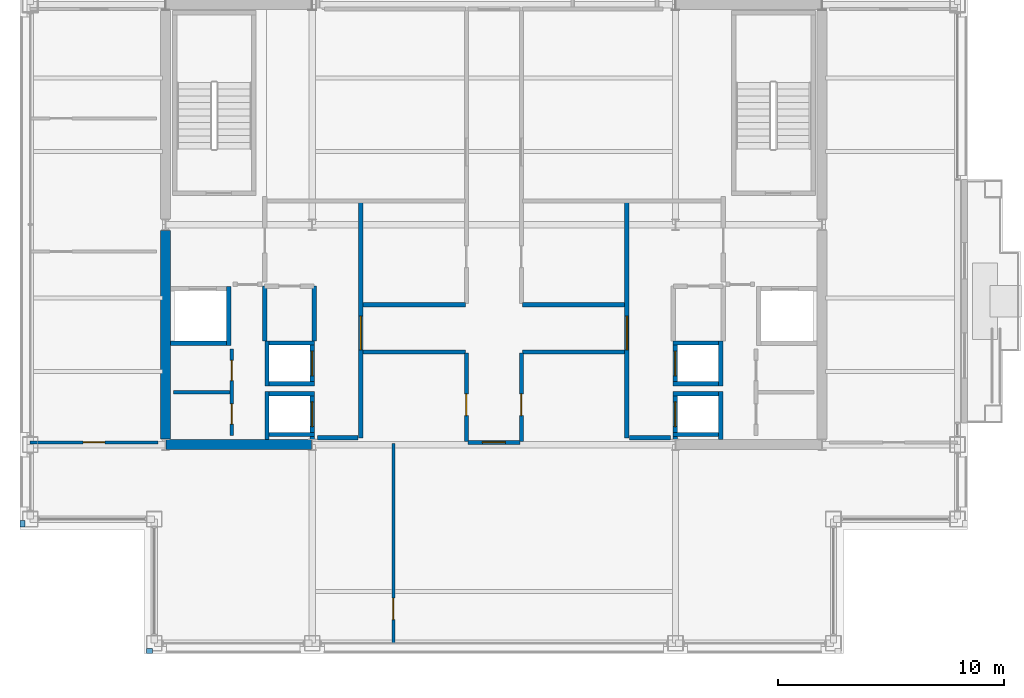
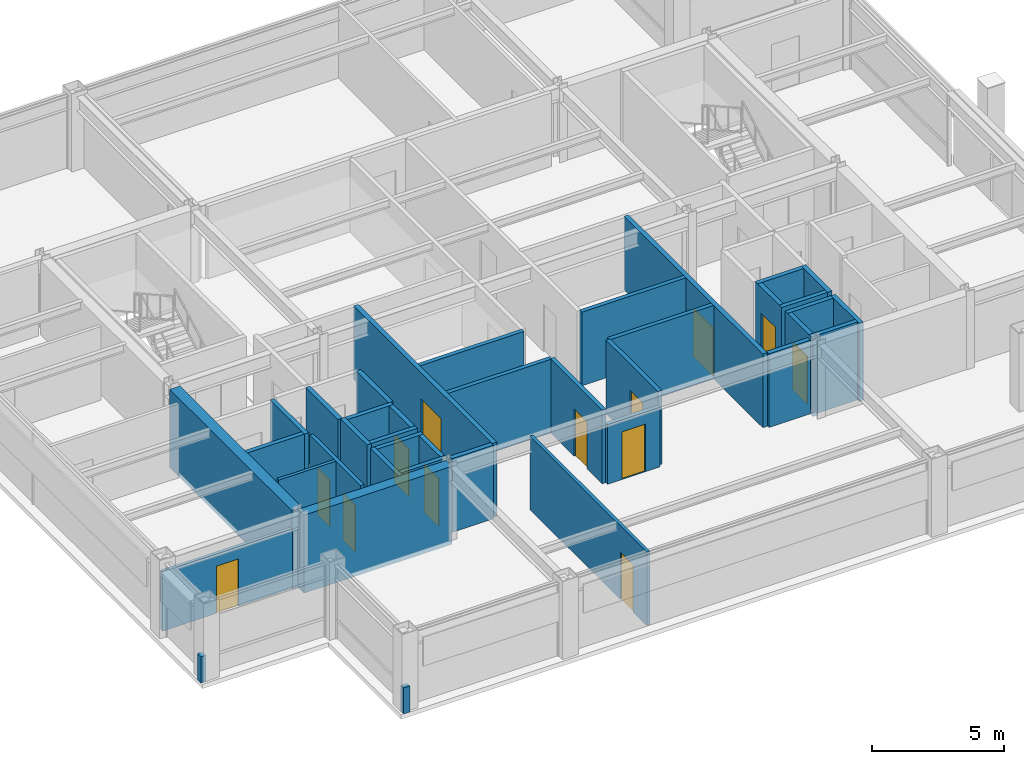
# One storey, part 24 of 28: 39 walls, 13 doors, 13 openings.
"""IFC4 building model written with IfcOpenShell, lengths in metres."""

from ifc_helpers import new_model, si_unit, direction, frame, frame_2d, origin, place, context, subcontext, project, spatial, rectangle, extrude, material, layer, layer_set, type_object, element, fill, save


model = new_model("IFC4")

# Units and contexts
model_context = context("Model", 3, precision=1e-05, world=origin(), true_north=direction((0.0, 1.0)))
body_context = subcontext(model_context, "Body", "Model", "MODEL_VIEW")
ifc_project = project(units=[si_unit("LENGTHUNIT", "METRE"), si_unit("AREAUNIT", "SQUARE_METRE"), si_unit("VOLUMEUNIT", "CUBIC_METRE"), si_unit("PLANEANGLEUNIT", "RADIAN"), si_unit("MASSUNIT", "GRAM", prefix="KILO")], contexts=[model_context])

# Site, building, storey
site_placement = place(None, origin())
site = spatial("IfcSite", under=ifc_project, at=site_placement, CompositionType="ELEMENT")
building_placement = place(site_placement, origin())
building = spatial("IfcBuilding", under=site, at=building_placement, Name="Brelmoor Portico Tower", CompositionType="ELEMENT")
storey_placement = place(building_placement, frame((0.0, 0.0, 191.10009765625)))
storey = spatial("IfcBuildingStorey", under=building, at=storey_placement, Name="L50", CompositionType="ELEMENT", Elevation=191.10009765625)

# Walls
ifc_material_1 = material(Name="Concrete C50", Category="concrete")
ifc_layer_1 = layer(ifc_material_1, 0.449951171875)
ifc_layer_set_1 = layer_set([ifc_layer_1], Name="Concrete C50")
wall_type_1 = type_object("IfcWallType", Name="WL-CORE-450", PredefinedType="SHEAR", material=ifc_layer_set_1)
wall_1_placement = place(storey_placement, frame((-14.530029296875, -9.75, -0.2001953125), z_axis=(0.0, 0.0, 1.0), x_axis=(1.0, 0.0, 0.0)))
element("IfcWall", 1, at=wall_1_placement, inside=storey, type_object=wall_type_1, Name="L50 WC South Shear Wall", PredefinedType="SHEAR", context=body_context, shape_type="SweptSolid", body=[
    extrude(rectangle(XDim=6.4599609375, YDim=0.449951171875, at=frame_2d((3.22998046875, 0.0))), origin(), (0.0, 0.0, 1.0), 3.60009765625),
])
wall_2_placement = place(storey_placement, frame((-14.550048828125, -9.5, -0.2001953125), z_axis=(0.0, 0.0, 1.0), x_axis=(0.0, 1.0, 0.0)))
element("IfcWall", 2, at=wall_2_placement, inside=storey, type_object=wall_type_1, Name="L50 WC Outer South Shear Wall", PredefinedType="SHEAR", context=body_context, shape_type="SweptSolid", body=[
    extrude(rectangle(XDim=9.25, YDim=0.449951171875, at=frame_2d((4.625, 0.0))), origin(), (0.0, 0.0, 1.0), 3.60009765625),
])
ifc_material_2 = material(Name="Concrete C40 Parapet Upstand", Category="concrete")
ifc_layer_2 = layer(ifc_material_2, 0.219970703125)
ifc_layer_set_2 = layer_set([ifc_layer_2], Name="Concrete C40 Parapet Upstand")
wall_type_2 = type_object("IfcWallType", Name="WL-PARAPET-220", PredefinedType="PARAPET", material=ifc_layer_set_2)
for number, where, z_axis, x_axis, name in (
    (3, (-15.389892578125, -18.889892578125, 0.0), (0.0, 0.0, 1.0), (1.0, 0.0, 0.0), "L50 Chamfer Vertex Parapet Pier SW1"),
    (4, (-20.889892578125, -13.389892578125, 0.0), (0.0, 0.0, 1.0), (0.0, 1.0, 0.0), "L50 Chamfer Vertex Parapet Pier SW2"),
):
    element("IfcWall", number, at=place(storey_placement, frame(where, z_axis=z_axis, x_axis=x_axis)), inside=storey, type_object=wall_type_2, Name=name, PredefinedType="PARAPET", context=body_context, shape_type="SweptSolid", body=[
        extrude(rectangle(XDim=0.269775390625, YDim=0.219970703125, at=frame_2d((0.134765625, 0.0))), origin(), (0.0, 0.0, 1.0), 1.199951171875),
    ])
ifc_material_3 = material(Name="Insulated Stud Suite Partition", Category="gypsum")
ifc_layer_3 = layer(ifc_material_3, 0.139892578125)
ifc_layer_set_3 = layer_set([ifc_layer_3], Name="Insulated Stud Suite Partition")
wall_type_3 = type_object("IfcWallType", Name="WL-PART-140", PredefinedType="PARTITIONING", material=ifc_layer_set_3)
wall_3_placement = place(storey_placement, frame((-11.699951171875, -7.425048828125, 0.0), z_axis=(0.0, 0.0, 1.0), x_axis=(-1.0, 0.0, 0.0)))
element("IfcWall", 5, at=wall_3_placement, inside=storey, type_object=wall_type_3, Name="L50 W Core WC Divider 1", PredefinedType="PARTITIONING", context=body_context, shape_type="SweptSolid", body=[
    extrude(rectangle(XDim=2.5, YDim=0.139892578125, at=frame_2d((1.25, 0.0))), origin(), (0.0, 0.0, 1.0), 3.39990234375),
])

# Wall, opening, door
wall_4_placement = place(storey_placement, frame((-4.451171875, -18.56005859375, 0.0), z_axis=(0.0, 0.0, 1.0), x_axis=(0.0, 1.0, 0.0)))
wall_4 = element("IfcWall", 6, at=wall_4_placement, inside=storey, type_object=wall_type_3, Name="L50 South Suite Partition 1", PredefinedType="PARTITIONING", context=body_context, shape_type="SweptSolid", body=[
    extrude(rectangle(XDim=8.85009765625, YDim=0.139892578125, at=frame_2d((4.425048828125, 0.0))), origin(), (0.0, 0.0, 1.0), 3.39990234375),
])
opening_1_placement = place(wall_4_placement, frame((1.050048828125, 0.0, 0.0)))
opening_1 = element("IfcOpeningElement", 7, at=opening_1_placement, cuts=wall_4, Name="Opening D-IN2", PredefinedType="OPENING", context=body_context, shape_type="SweptSolid", body=[
    extrude(rectangle(XDim=0.9599609375, YDim=2.179931640625, at=frame_2d((0.47998046875, 1.08984375))), frame((0.0, 0.079833984375, 0.0), z_axis=(0.0, -1.0, 0.0), x_axis=(1.0, 0.0, 0.0)), (0.0, 0.0, 1.0), 0.159912109375),
])
ifc_material_4 = material(Name="Lacquered Timber Suite Door", Category="wood")
door_type_1 = type_object("IfcDoorType", Name="DR-INT-950", OperationType="NOTDEFINED", PredefinedType="DOOR", material=ifc_material_4)
door_1_placement = place(opening_1_placement, origin())
door_1 = element("IfcDoor", 8, at=door_1_placement, inside=storey, type_object=door_type_1, Name="D-2127 L50 South Suite Connecting Door 1", OperationType="SINGLE_SWING_LEFT", OverallHeight=2.179931640625, OverallWidth=0.9599609375, PredefinedType="DOOR", context=body_context, shape_type="SweptSolid", body=[
    extrude(rectangle(XDim=0.9599609375, YDim=2.179931640625, at=frame_2d((0.47998046875, 1.08984375))), frame((0.0, 0.02490234375, 0.0), z_axis=(0.0, -1.0, 0.0), x_axis=(1.0, 0.0, 0.0)), (0.0, 0.0, 1.0), 0.050048828125),
])
fill(opening_1, door_1)

wall_5_placement = place(storey_placement, frame((-20.56005859375, -9.64990234375, 0.0), z_axis=(0.0, 0.0, 1.0), x_axis=(1.0, 0.0, 0.0)))
wall_5 = element("IfcWall", 9, at=wall_5_placement, inside=storey, type_object=wall_type_3, Name="L50 South Wing Closure WL", PredefinedType="PARTITIONING", context=body_context, shape_type="SweptSolid", body=[
    extrude(rectangle(XDim=5.68017578125, YDim=0.139892578125, at=frame_2d((2.840087890625, 0.0))), origin(), (0.0, 0.0, 1.0), 2.75),
])
opening_2_placement = place(wall_5_placement, frame((2.360107421875, 0.0, 0.0)))
opening_2 = element("IfcOpeningElement", 10, at=opening_2_placement, cuts=wall_5, Name="Opening D-IN2", PredefinedType="OPENING", context=body_context, shape_type="SweptSolid", body=[
    extrude(rectangle(XDim=0.9599609375, YDim=2.179931640625, at=frame_2d((0.47998046875, 1.08984375))), frame((0.0, 0.079833984375, 0.0), z_axis=(0.0, -1.0, 0.0), x_axis=(1.0, 0.0, 0.0)), (0.0, 0.0, 1.0), 0.159912109375),
])
door_2_placement = place(opening_2_placement, origin())
door_2 = element("IfcDoor", 11, at=door_2_placement, inside=storey, type_object=door_type_1, Name="D-2131 L50 WL Wing South Suite Door", OperationType="SINGLE_SWING_LEFT", OverallHeight=2.179931640625, OverallWidth=0.9599609375, PredefinedType="DOOR", context=body_context, shape_type="SweptSolid", body=[
    extrude(rectangle(XDim=0.9599609375, YDim=2.179931640625, at=frame_2d((0.47998046875, 1.08984375))), frame((0.0, 0.02490234375, 0.0), z_axis=(0.0, -1.0, 0.0), x_axis=(1.0, 0.0, 0.0)), (0.0, 0.0, 1.0), 0.050048828125),
])
fill(opening_2, door_2)

# Wall, openings, doors
ifc_material_5 = material(Name="Twin-Frame Acoustic Partition", Category="gypsum")
ifc_layer_4 = layer(ifc_material_5, 0.159912109375)
ifc_layer_set_4 = layer_set([ifc_layer_4], Name="Twin-Frame Acoustic Partition")
wall_type_4 = type_object("IfcWallType", Name="WL-PART-160", PredefinedType="PARTITIONING", material=ifc_layer_set_4)
wall_6_placement = place(storey_placement, frame((-11.6201171875, -9.35009765625, 0.0), z_axis=(0.0, 0.0, 1.0), x_axis=(0.0, 1.0, 0.0)))
wall_6 = element("IfcWall", 12, at=wall_6_placement, inside=storey, type_object=wall_type_4, Name="L50 W Core Service Front Wall", PredefinedType="PARTITIONING", context=body_context, shape_type="SweptSolid", body=[
    extrude(rectangle(XDim=3.85009765625, YDim=0.159912109375, at=frame_2d((1.925048828125, 0.0))), origin(), (0.0, 0.0, 1.0), 3.39990234375),
])
opening_3_placement = place(wall_6_placement, frame((0.512451171875, 0.0, 0.0)))
opening_3 = element("IfcOpeningElement", 13, at=opening_3_placement, cuts=wall_6, Name="Opening D-IN1", PredefinedType="OPENING", context=body_context, shape_type="SweptSolid", body=[
    extrude(rectangle(XDim=0.89990234375, YDim=2.14990234375, at=frame_2d((0.449951171875, 1.074951171875))), frame((0.0, 0.08984375, 0.0), z_axis=(0.0, -1.0, 0.0), x_axis=(1.0, 0.0, 0.0)), (0.0, 0.0, 1.0), 0.179931640625),
])
opening_4_placement = place(wall_6_placement, frame((2.4375, 0.0, 0.0)))
opening_4 = element("IfcOpeningElement", 14, at=opening_4_placement, cuts=wall_6, Name="Opening D-IN1", PredefinedType="OPENING", context=body_context, shape_type="SweptSolid", body=[
    extrude(rectangle(XDim=0.89990234375, YDim=2.14990234375, at=frame_2d((0.449951171875, 1.074951171875))), frame((0.0, 0.08984375, 0.0), z_axis=(0.0, -1.0, 0.0), x_axis=(1.0, 0.0, 0.0)), (0.0, 0.0, 1.0), 0.179931640625),
])
door_type_2 = type_object("IfcDoorType", Name="DR-INT-900", OperationType="NOTDEFINED", PredefinedType="DOOR", material=ifc_material_4)
door_3_placement = place(opening_3_placement, origin())
door_3 = element("IfcDoor", 15, at=door_3_placement, inside=storey, type_object=door_type_2, Name="D-2112 L50 W Accessible WC Door", OperationType="SINGLE_SWING_LEFT", OverallHeight=2.14990234375, OverallWidth=0.89990234375, PredefinedType="DOOR", context=body_context, shape_type="SweptSolid", body=[
    extrude(rectangle(XDim=0.89990234375, YDim=2.14990234375, at=frame_2d((0.449951171875, 1.074951171875))), frame((0.0, 0.02490234375, 0.0), z_axis=(0.0, -1.0, 0.0), x_axis=(1.0, 0.0, 0.0)), (0.0, 0.0, 1.0), 0.050048828125),
])
fill(opening_3, door_3)
door_4_placement = place(opening_4_placement, origin())
door_4 = element("IfcDoor", 16, at=door_4_placement, inside=storey, type_object=door_type_2, Name="D-2113 L50 W Staff WC Door", OperationType="SINGLE_SWING_RIGHT", OverallHeight=2.14990234375, OverallWidth=0.89990234375, PredefinedType="DOOR", context=body_context, shape_type="SweptSolid", body=[
    extrude(rectangle(XDim=0.89990234375, YDim=2.14990234375, at=frame_2d((0.449951171875, 1.074951171875))), frame((0.0, 0.02490234375, 0.0), z_axis=(0.0, -1.0, 0.0), x_axis=(1.0, 0.0, 0.0)), (0.0, 0.0, 1.0), 0.050048828125),
])
fill(opening_4, door_4)

# Walls
ifc_material_6 = material(Name="Acoustic Corridor Fire Partition", Category="gypsum")
ifc_layer_5 = layer(ifc_material_6, 0.179931640625)
ifc_layer_set_5 = layer_set([ifc_layer_5], Name="Acoustic Corridor Fire Partition")
wall_type_5 = type_object("IfcWallType", Name="WL-PART-180", PredefinedType="PARTITIONING", material=ifc_layer_set_5)
for number, where, z_axis, x_axis, name in (
    (17, (-5.800048828125, -3.550048828125, 0.0), (0.0, 0.0, 1.0), (1.0, 0.0, 0.0), "L50 West Pantry South Wall"),
    (18, (1.260009765625, -3.550048828125, 0.0), (0.0, 0.0, 1.0), (1.0, 0.0, 0.0), "L50 East Office South Wall"),
):
    element("IfcWall", number, at=place(storey_placement, frame(where, z_axis=z_axis, x_axis=x_axis)), inside=storey, type_object=wall_type_5, Name=name, PredefinedType="PARTITIONING", context=body_context, shape_type="SweptSolid", body=[
        extrude(rectangle(XDim=4.5400390625, YDim=0.179931640625, at=frame_2d((2.27001953125, 0.0))), origin(), (0.0, 0.0, 1.0), 3.39990234375),
    ])

# Wall, opening, door
wall_7_placement = place(storey_placement, frame((-1.219970703125, -9.610107421875, 0.0), z_axis=(0.0, 0.0, 1.0), x_axis=(0.0, 1.0, 0.0)))
wall_7 = element("IfcWall", 19, at=wall_7_placement, inside=storey, type_object=wall_type_5, Name="L50 South Cross West Wall", PredefinedType="PARTITIONING", context=body_context, shape_type="SweptSolid", body=[
    extrude(rectangle(XDim=3.93017578125, YDim=0.179931640625, at=frame_2d((1.965087890625, 0.0))), origin(), (0.0, 0.0, 1.0), 3.39990234375),
])
opening_5_placement = place(wall_7_placement, frame((1.14990234375, 0.0, 0.0)))
opening_5 = element("IfcOpeningElement", 20, at=opening_5_placement, cuts=wall_7, Name="Opening D-IN2", PredefinedType="OPENING", context=body_context, shape_type="SweptSolid", body=[
    extrude(rectangle(XDim=0.9599609375, YDim=2.179931640625, at=frame_2d((0.47998046875, 1.08984375))), frame((0.0, 0.099853515625, 0.0), z_axis=(0.0, -1.0, 0.0), x_axis=(1.0, 0.0, 0.0)), (0.0, 0.0, 1.0), 0.199951171875),
])
door_5_placement = place(opening_5_placement, origin())
door_5 = element("IfcDoor", 21, at=door_5_placement, inside=storey, type_object=door_type_1, Name="D-2105 L50 South-West Archive Room Door", OperationType="SINGLE_SWING_RIGHT", OverallHeight=2.179931640625, OverallWidth=0.9599609375, PredefinedType="DOOR", context=body_context, shape_type="SweptSolid", body=[
    extrude(rectangle(XDim=0.9599609375, YDim=2.179931640625, at=frame_2d((0.47998046875, 1.08984375))), frame((0.0, 0.02490234375, 0.0), z_axis=(0.0, -1.0, 0.0), x_axis=(1.0, 0.0, 0.0)), (0.0, 0.0, 1.0), 0.050048828125),
])
fill(opening_5, door_5)

wall_8_placement = place(storey_placement, frame((1.219970703125, -9.610107421875, 0.0), z_axis=(0.0, 0.0, 1.0), x_axis=(0.0, 1.0, 0.0)))
wall_8 = element("IfcWall", 22, at=wall_8_placement, inside=storey, type_object=wall_type_5, Name="L50 South Cross East Wall", PredefinedType="PARTITIONING", context=body_context, shape_type="SweptSolid", body=[
    extrude(rectangle(XDim=3.93017578125, YDim=0.179931640625, at=frame_2d((1.965087890625, 0.0))), origin(), (0.0, 0.0, 1.0), 3.39990234375),
])
opening_6_placement = place(wall_8_placement, frame((1.14990234375, 0.0, 0.0)))
opening_6 = element("IfcOpeningElement", 23, at=opening_6_placement, cuts=wall_8, Name="Opening D-IN2", PredefinedType="OPENING", context=body_context, shape_type="SweptSolid", body=[
    extrude(rectangle(XDim=0.9599609375, YDim=2.179931640625, at=frame_2d((0.47998046875, 1.08984375))), frame((0.0, 0.099853515625, 0.0), z_axis=(0.0, -1.0, 0.0), x_axis=(1.0, 0.0, 0.0)), (0.0, 0.0, 1.0), 0.199951171875),
])
door_6_placement = place(opening_6_placement, origin())
door_6 = element("IfcDoor", 24, at=door_6_placement, inside=storey, type_object=door_type_1, Name="D-2104 L50 South-East Partner Office Door", OperationType="SINGLE_SWING_LEFT", OverallHeight=2.179931640625, OverallWidth=0.9599609375, PredefinedType="DOOR", context=body_context, shape_type="SweptSolid", body=[
    extrude(rectangle(XDim=0.9599609375, YDim=2.179931640625, at=frame_2d((0.47998046875, 1.08984375))), frame((0.0, 0.02490234375, 0.0), z_axis=(0.0, -1.0, 0.0), x_axis=(1.0, 0.0, 0.0)), (0.0, 0.0, 1.0), 0.050048828125),
])
fill(opening_6, door_6)

# Walls
for number, where, z_axis, x_axis, name in (
    (25, (-5.800048828125, -5.64990234375, 0.0), (0.0, 0.0, 1.0), (1.0, 0.0, 0.0), "L50 South-West Chamber Top Wall"),
    (26, (1.260009765625, -5.64990234375, 0.0), (0.0, 0.0, 1.0), (1.0, 0.0, 0.0), "L50 South-East Chamber Top Wall"),
):
    element("IfcWall", number, at=place(storey_placement, frame(where, z_axis=z_axis, x_axis=x_axis)), inside=storey, type_object=wall_type_5, Name=name, PredefinedType="PARTITIONING", context=body_context, shape_type="SweptSolid", body=[
        extrude(rectangle(XDim=4.5400390625, YDim=0.179931640625, at=frame_2d((2.27001953125, 0.0))), origin(), (0.0, 0.0, 1.0), 3.39990234375),
    ])

# Wall, opening, door
wall_9_placement = place(storey_placement, frame((-1.14990234375, -9.64990234375, 0.0), z_axis=(0.0, 0.0, 1.0), x_axis=(1.0, 0.0, 0.0)))
wall_9 = element("IfcWall", 27, at=wall_9_placement, inside=storey, type_object=wall_type_5, Name="L50 South Corridor Partition", PredefinedType="PARTITIONING", context=body_context, shape_type="SweptSolid", body=[
    extrude(rectangle(XDim=2.2998046875, YDim=0.179931640625, at=frame_2d((1.14990234375, 0.0))), origin(), (0.0, 0.0, 1.0), 2.75),
])
opening_7_placement = place(wall_9_placement, frame((0.639892578125, 0.0, 0.0)))
opening_7 = element("IfcOpeningElement", 28, at=opening_7_placement, cuts=wall_9, Name="Opening D-OF1", PredefinedType="OPENING", context=body_context, shape_type="SweptSolid", body=[
    extrude(rectangle(XDim=1.02001953125, YDim=2.199951171875, at=frame_2d((0.510009765625, 1.10009765625))), frame((0.0, 0.099853515625, 0.0), z_axis=(0.0, -1.0, 0.0), x_axis=(1.0, 0.0, 0.0)), (0.0, 0.0, 1.0), 0.199951171875),
])
ifc_material_7 = material(Name="Hardwood Acoustic Veneer Door", Category="wood")
door_type_3 = type_object("IfcDoorType", Name="DR-OFFICE-1000", OperationType="NOTDEFINED", PredefinedType="DOOR", material=ifc_material_7)
door_7_placement = place(opening_7_placement, origin())
door_7 = element("IfcDoor", 29, at=door_7_placement, inside=storey, type_object=door_type_3, Name="D-2126 L50 South Staff Tea Pantry 2 Door", OperationType="SINGLE_SWING_RIGHT", OverallHeight=2.199951171875, OverallWidth=1.02001953125, PredefinedType="DOOR", context=body_context, shape_type="SweptSolid", body=[
    extrude(rectangle(XDim=1.02001953125, YDim=2.199951171875, at=frame_2d((0.510009765625, 1.10009765625))), frame((0.0, 0.02490234375, 0.0), z_axis=(0.0, -1.0, 0.0), x_axis=(1.0, 0.0, 0.0)), (0.0, 0.0, 1.0), 0.050048828125),
])
fill(opening_7, door_7)

ifc_material_8 = material(Name="Double-Stud Gypsum Fire Partition", Category="gypsum")
ifc_layer_6 = layer(ifc_material_8, 0.199951171875)
ifc_layer_set_6 = layer_set([ifc_layer_6], Name="Double-Stud Gypsum Fire Partition")
wall_type_6 = type_object("IfcWallType", Name="WL-PART-200", PredefinedType="PARTITIONING", material=ifc_layer_set_6)
wall_10_placement = place(storey_placement, frame((-5.89990234375, -9.449951171875, 0.0), z_axis=(0.0, 0.0, 1.0), x_axis=(0.0, 1.0, 0.0)))
wall_10 = element("IfcWall", 30, at=wall_10_placement, inside=storey, type_object=wall_type_6, Name="L50 W Core Lobby Compartment Wall", PredefinedType="PARTITIONING", context=body_context, shape_type="SweptSolid", body=[
    extrude(rectangle(XDim=10.5, YDim=0.199951171875, at=frame_2d((5.25, 0.0))), origin(), (0.0, 0.0, 1.0), 3.39990234375),
])
opening_8_placement = place(wall_10_placement, frame((3.89990234375, 0.0, 0.0)))
opening_8 = element("IfcOpeningElement", 31, at=opening_8_placement, cuts=wall_10, Name="Opening D-LB1", PredefinedType="OPENING", context=body_context, shape_type="SweptSolid", body=[
    extrude(rectangle(XDim=1.5, YDim=2.199951171875, at=frame_2d((0.75, 1.10009765625))), frame((0.0, 0.10986328125, 0.0), z_axis=(0.0, -1.0, 0.0), x_axis=(1.0, 0.0, 0.0)), (0.0, 0.0, 1.0), 0.219970703125),
])
ifc_material_9 = material(Name="Double-Leaf Glazed Steel Fire Door", Category="steel")
door_type_4 = type_object("IfcDoorType", Name="DR-LOBBY-1500", OperationType="NOTDEFINED", PredefinedType="DOOR", material=ifc_material_9)
door_8_placement = place(opening_8_placement, origin())
door_8 = element("IfcDoor", 32, at=door_8_placement, inside=storey, type_object=door_type_4, Name="D-2119 L50 W Lift Lobby Main Door", OperationType="DOUBLE_DOOR_SINGLE_SWING", OverallHeight=2.199951171875, OverallWidth=1.5, PredefinedType="DOOR", context=body_context, shape_type="SweptSolid", body=[
    extrude(rectangle(XDim=1.5, YDim=2.199951171875, at=frame_2d((0.75, 1.10009765625))), frame((0.0, 0.02490234375, 0.0), z_axis=(0.0, -1.0, 0.0), x_axis=(1.0, 0.0, 0.0)), (0.0, 0.0, 1.0), 0.050048828125),
])
fill(opening_8, door_8)

# Walls
wall_11_placement = place(storey_placement, frame((-6.02001953125, -9.449951171875, 0.0), z_axis=(0.0, 0.0, 1.0), x_axis=(-1.0, 0.0, 0.0)))
element("IfcWall", 33, at=wall_11_placement, inside=storey, type_object=wall_type_6, Name="L50 W Lift Lobby South End Wall", PredefinedType="PARTITIONING", context=body_context, shape_type="SweptSolid", body=[
    extrude(rectangle(XDim=1.800048828125, YDim=0.199951171875, at=frame_2d((0.89990234375, 0.0))), origin(), (0.0, 0.0, 1.0), 3.39990234375),
])
for number, where, z_axis, x_axis, name in (
    (34, (-7.9599609375, -5.159912109375, 0.0), (0.0, 0.0, 1.0), (0.0, 1.0, 0.0), "L50 W Electrical Switchgear Closet Inner Wall"),
    (35, (-10.159912109375, -5.159912109375, 0.0), (0.0, 0.0, 1.0), (0.0, 1.0, 0.0), "L50 W Electrical Switchgear Closet Outer Wall"),
):
    element("IfcWall", number, at=place(storey_placement, frame(where, z_axis=z_axis, x_axis=x_axis)), inside=storey, type_object=wall_type_6, Name=name, PredefinedType="PARTITIONING", context=body_context, shape_type="SweptSolid", body=[
        extrude(rectangle(XDim=2.43994140625, YDim=0.199951171875, at=frame_2d((1.219970703125, 0.0))), origin(), (0.0, 0.0, 1.0), 3.39990234375),
    ])

# Wall, opening, door
wall_12_placement = place(storey_placement, frame((5.89990234375, -9.449951171875, 0.0), z_axis=(0.0, 0.0, 1.0), x_axis=(0.0, 1.0, 0.0)))
wall_12 = element("IfcWall", 36, at=wall_12_placement, inside=storey, type_object=wall_type_6, Name="L50 E Core Lobby Compartment Wall", PredefinedType="PARTITIONING", context=body_context, shape_type="SweptSolid", body=[
    extrude(rectangle(XDim=10.5, YDim=0.199951171875, at=frame_2d((5.25, 0.0))), origin(), (0.0, 0.0, 1.0), 3.39990234375),
])
opening_9_placement = place(wall_12_placement, frame((3.89990234375, 0.0, 0.0)))
opening_9 = element("IfcOpeningElement", 37, at=opening_9_placement, cuts=wall_12, Name="Opening D-LB1", PredefinedType="OPENING", context=body_context, shape_type="SweptSolid", body=[
    extrude(rectangle(XDim=1.5, YDim=2.199951171875, at=frame_2d((0.75, 1.10009765625))), frame((0.0, 0.10986328125, 0.0), z_axis=(0.0, -1.0, 0.0), x_axis=(1.0, 0.0, 0.0)), (0.0, 0.0, 1.0), 0.219970703125),
])
door_9_placement = place(opening_9_placement, origin())
door_9 = element("IfcDoor", 38, at=door_9_placement, inside=storey, type_object=door_type_4, Name="D-2118 L50 E Lift Lobby Main Door", OperationType="DOUBLE_DOOR_SINGLE_SWING", OverallHeight=2.199951171875, OverallWidth=1.5, PredefinedType="DOOR", context=body_context, shape_type="SweptSolid", body=[
    extrude(rectangle(XDim=1.5, YDim=2.199951171875, at=frame_2d((0.75, 1.10009765625))), frame((0.0, 0.02490234375, 0.0), z_axis=(0.0, -1.0, 0.0), x_axis=(1.0, 0.0, 0.0)), (0.0, 0.0, 1.0), 0.050048828125),
])
fill(opening_9, door_9)

# Wall
wall_13_placement = place(storey_placement, frame((6.02001953125, -9.449951171875, 0.0), z_axis=(0.0, 0.0, 1.0), x_axis=(1.0, 0.0, 0.0)))
element("IfcWall", 39, at=wall_13_placement, inside=storey, type_object=wall_type_6, Name="L50 E Lift Lobby South End Wall", PredefinedType="PARTITIONING", context=body_context, shape_type="SweptSolid", body=[
    extrude(rectangle(XDim=1.800048828125, YDim=0.199951171875, at=frame_2d((0.89990234375, 0.0))), origin(), (0.0, 0.0, 1.0), 3.39990234375),
])

# Wall, opening, door
ifc_material_10 = material(Name="Precast Concrete C40", Category="concrete")
ifc_layer_7 = layer(ifc_material_10, 0.18994140625)
ifc_layer_set_7 = layer_set([ifc_layer_7], Name="Precast Concrete C40")
wall_type_7 = type_object("IfcWallType", Name="WL-SHAFT-180", PredefinedType="SOLIDWALL", material=ifc_layer_set_7)
wall_14_placement = place(storey_placement, frame((-8.044921875, -9.52001953125, -0.2001953125), z_axis=(0.0, 0.0, 1.0), x_axis=(0.0, 1.0, 0.0)))
wall_14 = element("IfcWall", 40, at=wall_14_placement, inside=storey, type_object=wall_type_7, Name="L50 Lift PH1 Hoistway Front Wall", PredefinedType="SOLIDWALL", context=body_context, shape_type="SweptSolid", body=[
    extrude(rectangle(XDim=2.1201171875, YDim=0.18994140625, at=frame_2d((1.06005859375, 0.0))), origin(), (0.0, 0.0, 1.0), 3.60009765625),
])
opening_10_placement = place(wall_14_placement, frame((0.570068359375, 0.0, 0.199951171875)))
opening_10 = element("IfcOpeningElement", 41, at=opening_10_placement, cuts=wall_14, Name="Opening LD-01", PredefinedType="OPENING", context=body_context, shape_type="SweptSolid", body=[
    extrude(rectangle(XDim=1.10009765625, YDim=2.199951171875, at=frame_2d((0.550048828125, 1.10009765625))), frame((0.0, 0.10498046875, 0.0), z_axis=(0.0, -1.0, 0.0), x_axis=(1.0, 0.0, 0.0)), (0.0, 0.0, 1.0), 0.2099609375),
])
ifc_material_11 = material(Name="Brushed Stainless Steel Sliding Lift Door", Category="steel")
door_type_5 = type_object("IfcDoorType", Name="DR-LIFT-1100", OperationType="NOTDEFINED", PredefinedType="DOOR", material=ifc_material_11)
door_10_placement = place(opening_10_placement, origin())
door_10 = element("IfcDoor", 42, at=door_10_placement, inside=storey, type_object=door_type_5, Name="D-2137 L50 Lift PH1 Sliding Landing Door", OperationType="SLIDING_TO_LEFT", OverallHeight=2.199951171875, OverallWidth=1.10009765625, PredefinedType="DOOR", context=body_context, shape_type="SweptSolid", body=[
    extrude(rectangle(XDim=1.10009765625, YDim=2.199951171875, at=frame_2d((0.550048828125, 1.10009765625))), frame((0.0, 0.02490234375, 0.0), z_axis=(0.0, -1.0, 0.0), x_axis=(1.0, 0.0, 0.0)), (0.0, 0.0, 1.0), 0.050048828125),
])
fill(opening_10, door_10)

# Walls
wall_15_placement = place(storey_placement, frame((-10.054931640625, -9.52001953125, -0.2001953125), z_axis=(0.0, 0.0, 1.0), x_axis=(0.0, 1.0, 0.0)))
element("IfcWall", 43, at=wall_15_placement, inside=storey, type_object=wall_type_7, Name="L50 Lift PH1 Hoistway Back Wall", PredefinedType="SOLIDWALL", context=body_context, shape_type="SweptSolid", body=[
    extrude(rectangle(XDim=2.1201171875, YDim=0.18994140625, at=frame_2d((1.06005859375, 0.0))), origin(), (0.0, 0.0, 1.0), 3.60009765625),
])
for number, where, z_axis, x_axis, name in (
    (44, (-10.14990234375, -7.4951171875, -0.2001953125), (0.0, 0.0, 1.0), (1.0, 0.0, 0.0), "L50 Lift PH1 Hoistway North Wall"),
    (45, (-10.14990234375, -9.304931640625, -0.2001953125), (0.0, 0.0, 1.0), (1.0, 0.0, 0.0), "L50 Lift PH1 Hoistway South Wall"),
):
    element("IfcWall", number, at=place(storey_placement, frame(where, z_axis=z_axis, x_axis=x_axis)), inside=storey, type_object=wall_type_7, Name=name, PredefinedType="SOLIDWALL", context=body_context, shape_type="SweptSolid", body=[
        extrude(rectangle(XDim=2.199951171875, YDim=0.18994140625, at=frame_2d((1.10009765625, 0.0))), origin(), (0.0, 0.0, 1.0), 3.60009765625),
    ])

# Wall, opening, door
wall_16_placement = place(storey_placement, frame((-8.044921875, -7.14990234375, -0.2001953125), z_axis=(0.0, 0.0, 1.0), x_axis=(0.0, 1.0, 0.0)))
wall_16 = element("IfcWall", 46, at=wall_16_placement, inside=storey, type_object=wall_type_7, Name="L50 Lift PH2 Hoistway Front Wall", PredefinedType="SOLIDWALL", context=body_context, shape_type="SweptSolid", body=[
    extrude(rectangle(XDim=2.0, YDim=0.18994140625, at=frame_2d((1.0, 0.0))), origin(), (0.0, 0.0, 1.0), 3.60009765625),
])
opening_11_placement = place(wall_16_placement, frame((0.449951171875, 0.0, 0.199951171875)))
opening_11 = element("IfcOpeningElement", 47, at=opening_11_placement, cuts=wall_16, Name="Opening LD-01", PredefinedType="OPENING", context=body_context, shape_type="SweptSolid", body=[
    extrude(rectangle(XDim=1.10009765625, YDim=2.199951171875, at=frame_2d((0.550048828125, 1.10009765625))), frame((0.0, 0.10498046875, 0.0), z_axis=(0.0, -1.0, 0.0), x_axis=(1.0, 0.0, 0.0)), (0.0, 0.0, 1.0), 0.2099609375),
])
door_11_placement = place(opening_11_placement, origin())
door_11 = element("IfcDoor", 48, at=door_11_placement, inside=storey, type_object=door_type_5, Name="D-2138 L50 Lift PH2 Sliding Landing Door", OperationType="SLIDING_TO_LEFT", OverallHeight=2.199951171875, OverallWidth=1.10009765625, PredefinedType="DOOR", context=body_context, shape_type="SweptSolid", body=[
    extrude(rectangle(XDim=1.10009765625, YDim=2.199951171875, at=frame_2d((0.550048828125, 1.10009765625))), frame((0.0, 0.02490234375, 0.0), z_axis=(0.0, -1.0, 0.0), x_axis=(1.0, 0.0, 0.0)), (0.0, 0.0, 1.0), 0.050048828125),
])
fill(opening_11, door_11)

# Walls
wall_17_placement = place(storey_placement, frame((-10.054931640625, -7.14990234375, -0.2001953125), z_axis=(0.0, 0.0, 1.0), x_axis=(0.0, 1.0, 0.0)))
element("IfcWall", 49, at=wall_17_placement, inside=storey, type_object=wall_type_7, Name="L50 Lift PH2 Hoistway Back Wall", PredefinedType="SOLIDWALL", context=body_context, shape_type="SweptSolid", body=[
    extrude(rectangle(XDim=2.0, YDim=0.18994140625, at=frame_2d((1.0, 0.0))), origin(), (0.0, 0.0, 1.0), 3.60009765625),
])
for number, where, z_axis, x_axis, name in (
    (50, (-10.14990234375, -5.2451171875, -0.2001953125), (0.0, 0.0, 1.0), (1.0, 0.0, 0.0), "L50 Lift PH2 Hoistway North Wall"),
    (51, (-10.14990234375, -7.054931640625, -0.2001953125), (0.0, 0.0, 1.0), (1.0, 0.0, 0.0), "L50 Lift PH2 Hoistway South Wall"),
):
    element("IfcWall", number, at=place(storey_placement, frame(where, z_axis=z_axis, x_axis=x_axis)), inside=storey, type_object=wall_type_7, Name=name, PredefinedType="SOLIDWALL", context=body_context, shape_type="SweptSolid", body=[
        extrude(rectangle(XDim=2.199951171875, YDim=0.18994140625, at=frame_2d((1.10009765625, 0.0))), origin(), (0.0, 0.0, 1.0), 3.60009765625),
    ])

# Wall, opening, door
wall_18_placement = place(storey_placement, frame((8.044921875, -9.52001953125, -0.2001953125), z_axis=(0.0, 0.0, 1.0), x_axis=(0.0, 1.0, 0.0)))
wall_18 = element("IfcWall", 52, at=wall_18_placement, inside=storey, type_object=wall_type_7, Name="L50 Lift PH3 Hoistway Front Wall", PredefinedType="SOLIDWALL", context=body_context, shape_type="SweptSolid", body=[
    extrude(rectangle(XDim=2.1201171875, YDim=0.18994140625, at=frame_2d((1.06005859375, 0.0))), origin(), (0.0, 0.0, 1.0), 3.60009765625),
])
opening_12_placement = place(wall_18_placement, frame((0.570068359375, 0.0, 0.199951171875)))
opening_12 = element("IfcOpeningElement", 53, at=opening_12_placement, cuts=wall_18, Name="Opening LD-01", PredefinedType="OPENING", context=body_context, shape_type="SweptSolid", body=[
    extrude(rectangle(XDim=1.10009765625, YDim=2.199951171875, at=frame_2d((0.550048828125, 1.10009765625))), frame((0.0, 0.10498046875, 0.0), z_axis=(0.0, -1.0, 0.0), x_axis=(1.0, 0.0, 0.0)), (0.0, 0.0, 1.0), 0.2099609375),
])
door_12_placement = place(opening_12_placement, origin())
door_12 = element("IfcDoor", 54, at=door_12_placement, inside=storey, type_object=door_type_5, Name="D-2139 L50 Lift PH3 Sliding Landing Door", OperationType="SLIDING_TO_LEFT", OverallHeight=2.199951171875, OverallWidth=1.10009765625, PredefinedType="DOOR", context=body_context, shape_type="SweptSolid", body=[
    extrude(rectangle(XDim=1.10009765625, YDim=2.199951171875, at=frame_2d((0.550048828125, 1.10009765625))), frame((0.0, 0.02490234375, 0.0), z_axis=(0.0, -1.0, 0.0), x_axis=(1.0, 0.0, 0.0)), (0.0, 0.0, 1.0), 0.050048828125),
])
fill(opening_12, door_12)

# Walls
wall_19_placement = place(storey_placement, frame((10.054931640625, -9.52001953125, -0.2001953125), z_axis=(0.0, 0.0, 1.0), x_axis=(0.0, 1.0, 0.0)))
element("IfcWall", 55, at=wall_19_placement, inside=storey, type_object=wall_type_7, Name="L50 Lift PH3 Hoistway Back Wall", PredefinedType="SOLIDWALL", context=body_context, shape_type="SweptSolid", body=[
    extrude(rectangle(XDim=2.1201171875, YDim=0.18994140625, at=frame_2d((1.06005859375, 0.0))), origin(), (0.0, 0.0, 1.0), 3.60009765625),
])
for number, where, z_axis, x_axis, name in (
    (56, (7.949951171875, -7.4951171875, -0.2001953125), (0.0, 0.0, 1.0), (1.0, 0.0, 0.0), "L50 Lift PH3 Hoistway North Wall"),
    (57, (7.949951171875, -9.304931640625, -0.2001953125), (0.0, 0.0, 1.0), (1.0, 0.0, 0.0), "L50 Lift PH3 Hoistway South Wall"),
):
    element("IfcWall", number, at=place(storey_placement, frame(where, z_axis=z_axis, x_axis=x_axis)), inside=storey, type_object=wall_type_7, Name=name, PredefinedType="SOLIDWALL", context=body_context, shape_type="SweptSolid", body=[
        extrude(rectangle(XDim=2.199951171875, YDim=0.18994140625, at=frame_2d((1.10009765625, 0.0))), origin(), (0.0, 0.0, 1.0), 3.60009765625),
    ])

# Wall, opening, door
wall_20_placement = place(storey_placement, frame((8.044921875, -7.14990234375, -0.2001953125), z_axis=(0.0, 0.0, 1.0), x_axis=(0.0, 1.0, 0.0)))
wall_20 = element("IfcWall", 58, at=wall_20_placement, inside=storey, type_object=wall_type_7, Name="L50 Lift PH4 Hoistway Front Wall", PredefinedType="SOLIDWALL", context=body_context, shape_type="SweptSolid", body=[
    extrude(rectangle(XDim=2.0, YDim=0.18994140625, at=frame_2d((1.0, 0.0))), origin(), (0.0, 0.0, 1.0), 3.60009765625),
])
opening_13_placement = place(wall_20_placement, frame((0.449951171875, 0.0, 0.199951171875)))
opening_13 = element("IfcOpeningElement", 59, at=opening_13_placement, cuts=wall_20, Name="Opening LD-01", PredefinedType="OPENING", context=body_context, shape_type="SweptSolid", body=[
    extrude(rectangle(XDim=1.10009765625, YDim=2.199951171875, at=frame_2d((0.550048828125, 1.10009765625))), frame((0.0, 0.10498046875, 0.0), z_axis=(0.0, -1.0, 0.0), x_axis=(1.0, 0.0, 0.0)), (0.0, 0.0, 1.0), 0.2099609375),
])
door_13_placement = place(opening_13_placement, origin())
door_13 = element("IfcDoor", 60, at=door_13_placement, inside=storey, type_object=door_type_5, Name="D-2140 L50 Lift PH4 Sliding Landing Door", OperationType="SLIDING_TO_LEFT", OverallHeight=2.199951171875, OverallWidth=1.10009765625, PredefinedType="DOOR", context=body_context, shape_type="SweptSolid", body=[
    extrude(rectangle(XDim=1.10009765625, YDim=2.199951171875, at=frame_2d((0.550048828125, 1.10009765625))), frame((0.0, 0.02490234375, 0.0), z_axis=(0.0, -1.0, 0.0), x_axis=(1.0, 0.0, 0.0)), (0.0, 0.0, 1.0), 0.050048828125),
])
fill(opening_13, door_13)

# Walls
wall_21_placement = place(storey_placement, frame((10.054931640625, -7.14990234375, -0.2001953125), z_axis=(0.0, 0.0, 1.0), x_axis=(0.0, 1.0, 0.0)))
element("IfcWall", 61, at=wall_21_placement, inside=storey, type_object=wall_type_7, Name="L50 Lift PH4 Hoistway Back Wall", PredefinedType="SOLIDWALL", context=body_context, shape_type="SweptSolid", body=[
    extrude(rectangle(XDim=2.0, YDim=0.18994140625, at=frame_2d((1.0, 0.0))), origin(), (0.0, 0.0, 1.0), 3.60009765625),
])
for number, where, z_axis, x_axis, name in (
    (62, (7.949951171875, -5.2451171875, -0.2001953125), (0.0, 0.0, 1.0), (1.0, 0.0, 0.0), "L50 Lift PH4 Hoistway North Wall"),
    (63, (7.949951171875, -7.054931640625, -0.2001953125), (0.0, 0.0, 1.0), (1.0, 0.0, 0.0), "L50 Lift PH4 Hoistway South Wall"),
):
    element("IfcWall", number, at=place(storey_placement, frame(where, z_axis=z_axis, x_axis=x_axis)), inside=storey, type_object=wall_type_7, Name=name, PredefinedType="SOLIDWALL", context=body_context, shape_type="SweptSolid", body=[
        extrude(rectangle(XDim=2.199951171875, YDim=0.18994140625, at=frame_2d((1.10009765625, 0.0))), origin(), (0.0, 0.0, 1.0), 3.60009765625),
    ])
wall_22_placement = place(storey_placement, frame((-14.330078125, -5.2548828125, -0.2001953125), z_axis=(0.0, 0.0, 1.0), x_axis=(1.0, 0.0, 0.0)))
element("IfcWall", 64, at=wall_22_placement, inside=storey, type_object=wall_type_7, Name="L50 Firefighting Lift FF1 South Wall", PredefinedType="SOLIDWALL", context=body_context, shape_type="SweptSolid", body=[
    extrude(rectangle(XDim=2.68017578125, YDim=0.18994140625, at=frame_2d((1.340087890625, 0.0))), origin(), (0.0, 0.0, 1.0), 3.60009765625),
])
wall_23_placement = place(storey_placement, frame((-11.7451171875, -5.35009765625, -0.2001953125), z_axis=(0.0, 0.0, 1.0), x_axis=(0.0, 1.0, 0.0)))
element("IfcWall", 65, at=wall_23_placement, inside=storey, type_object=wall_type_7, Name="L50 Firefighting Lift FF1 Inner Wall", PredefinedType="SOLIDWALL", context=body_context, shape_type="SweptSolid", body=[
    extrude(rectangle(XDim=2.60009765625, YDim=0.18994140625, at=frame_2d((1.300048828125, 0.0))), origin(), (0.0, 0.0, 1.0), 3.60009765625),
])

save(model, "model.ifc")
